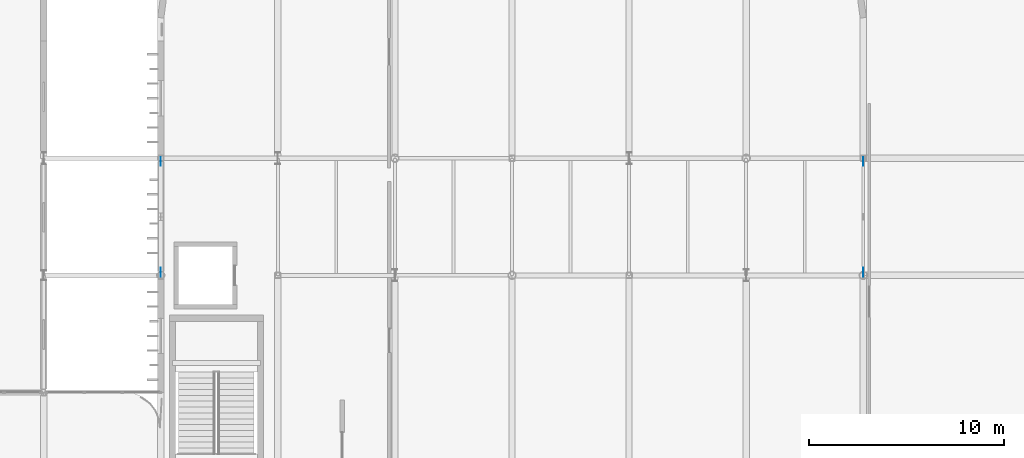
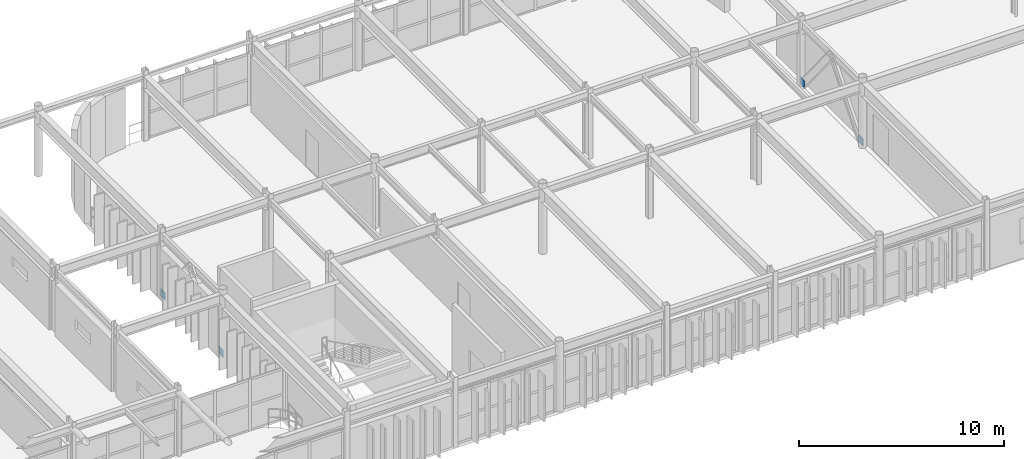
# One storey, part 102 of 116: 4 discrete accessories.
"""IFC4 building model written with IfcOpenShell, lengths in metres."""

from ifc_helpers import new_model, si_unit, direction, frame, origin, origin_2d, place, context, subcontext, project, spatial, rectangle, extrude, material, layer, layer_set, type_object, element, save


model = new_model("IFC4")

# Units and contexts
model_context = context("Model", 3, precision=1e-05, world=origin(), true_north=direction((0.0, 1.0)))
body_context = subcontext(model_context, "Body", "Model", "MODEL_VIEW")
ifc_project = project(units=[si_unit("LENGTHUNIT", "METRE"), si_unit("AREAUNIT", "SQUARE_METRE"), si_unit("VOLUMEUNIT", "CUBIC_METRE"), si_unit("PLANEANGLEUNIT", "RADIAN"), si_unit("MASSUNIT", "GRAM", prefix="KILO")], contexts=[model_context])

# Site, building, storey
site_placement = place(None, origin())
site = spatial("IfcSite", under=ifc_project, at=site_placement, CompositionType="ELEMENT")
building_placement = place(site_placement, origin())
building = spatial("IfcBuilding", under=site, at=building_placement, Name="Varnakota Square Police Headquarters", CompositionType="ELEMENT")
storey_placement = place(building_placement, frame((0.0, 0.0, 9.300048828125)))
storey = spatial("IfcBuildingStorey", under=building, at=storey_placement, Name="L02", CompositionType="ELEMENT", Elevation=9.300048828125)

# Discrete accessories
ifc_material = material(Name="Steel IS 2062 Grade 350", Category="steel")
ifc_layer = layer(ifc_material, 0.64990234375, Name="Steel IS 2062 Grade 350")
ifc_layer_set = layer_set([ifc_layer], Name="Steel IS 2062 Grade 350")
discrete_accessory_type = type_object("IfcDiscreteAccessoryType", Name="ACC-EMB-350", PredefinedType="BRACKET", material=ifc_layer_set)
for number, where, z_axis, x_axis, name in (
    (1, (60.0, 81.159912109375, 0.02490234375), (0.0, 0.0, 1.0), (0.0, 1.0, 0.0), "Brace gusset connection plate BF5 L02 L"),
    (2, (60.0, 86.840087890625, 0.02490234375), (0.0, 0.0, 1.0), (0.0, 1.0, 0.0), "Brace gusset connection plate BF5 L02 R"),
    (3, (96.0, 81.159912109375, 0.02490234375), (0.0, 0.0, 1.0), (0.0, 1.0, 0.0), "Brace gusset connection plate BF6 L02 L"),
    (4, (96.0, 86.840087890625, 0.02490234375), (0.0, 0.0, 1.0), (0.0, 1.0, 0.0), "Brace gusset connection plate BF6 L02 R"),
):
    element("IfcDiscreteAccessory", number, at=place(storey_placement, frame(where, z_axis=z_axis, x_axis=x_axis)), inside=storey, type_object=discrete_accessory_type, Name=name, PredefinedType="BRACKET", context=body_context, shape_type="SweptSolid", body=[
        extrude(rectangle(XDim=0.43994140625, YDim=0.02001953125, at=origin_2d()), origin(), (0.0, 0.0, 1.0), 0.449951171875),
    ])

save(model, "model.ifc")
